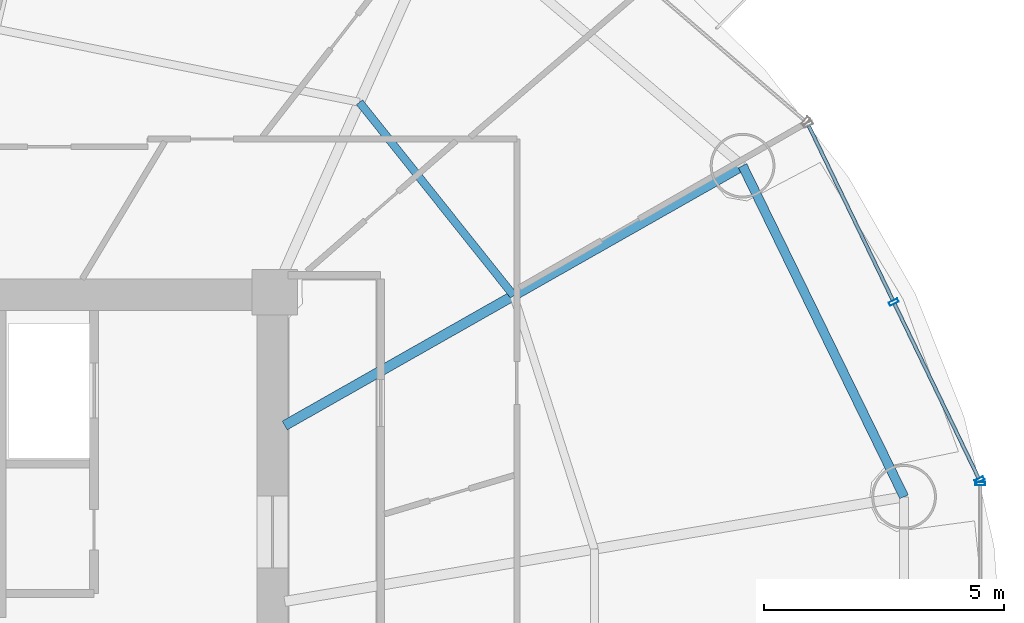
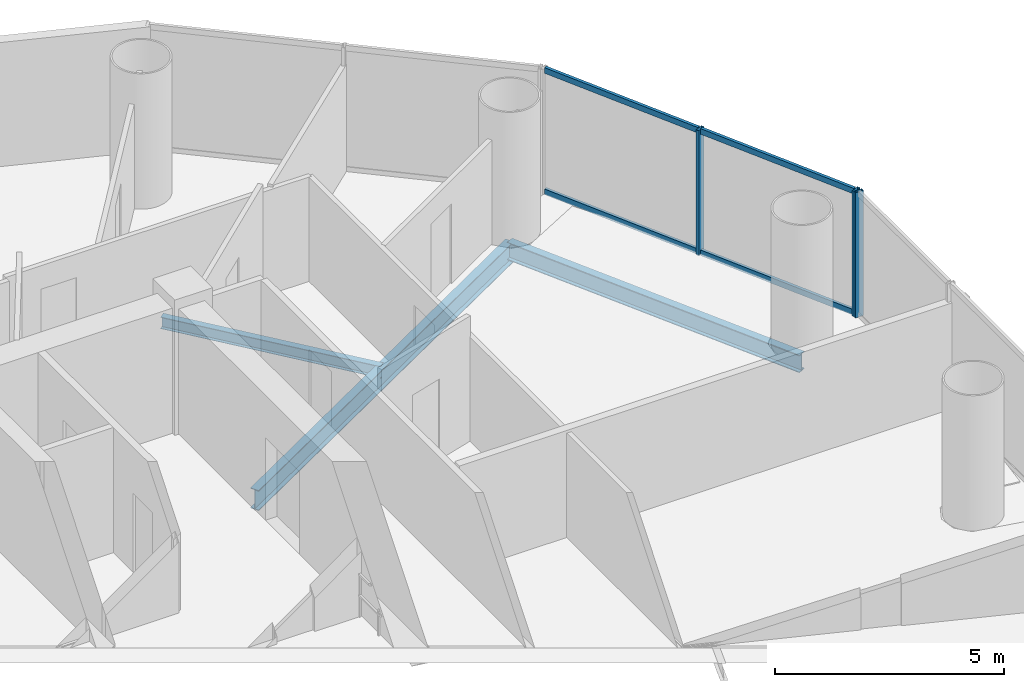
# One storey, part 13 of 27: 7 members, 3 beams, 2 elements without a shape of their own.
"""IFC4 building model written with IfcOpenShell, lengths in metres."""

import ifcopenshell
import ifcopenshell.guid

model = None  # the IFC model being written
_history = None  # IfcOwnerHistory: only IFC2X3 demands one
_inside = {}  # id of a spatial element -> (the spatial element, [elements in it])
_under = {}  # id of a project, library or spatial element -> (it, [spatial elements below it])
_declared = {}  # id of a project -> (the project, [libraries it declares])
_typed = {}  # id of a type object -> (the type object, [elements of that type])
_made_of = {}  # id of a material, layer set ... -> (it, [elements and type objects made of it])


def new_model(schema):
    """Start an empty IFC model of exactly this schema.

    Asked for "IFC4X3", IfcOpenShell would pick the latest addendum, in which some entities
    have other attributes; the version numbers below select the first issue.
    IFC2X3 requires an IfcOwnerHistory on every rooted entity: one is made here for all.
    """
    global model, _history
    if schema == "IFC4X3":
        model = ifcopenshell.file(schema_version=(4, 3, 0, 0))
    else:
        model = ifcopenshell.file(schema=schema)
    _inside.clear()
    _under.clear()
    _declared.clear()
    _typed.clear()
    _made_of.clear()
    _history = None
    if model.schema == "IFC2X3":
        org = make("IfcOrganization", Name="unknown")
        user = make(
            "IfcPersonAndOrganization",
            ThePerson=make("IfcPerson", FamilyName="unknown"),
            TheOrganization=org,
        )
        app = make(
            "IfcApplication",
            ApplicationDeveloper=org,
            Version="unknown",
            ApplicationFullName="unknown",
            ApplicationIdentifier="unknown",
        )
        _history = make(
            "IfcOwnerHistory",
            OwningUser=user,
            OwningApplication=app,
            ChangeAction="ADDED",
            CreationDate=0,
        )
    return model


def make(cls, **values):
    """One entity of the class cls with the attributes given. An attribute that is None is left unset."""
    return model.create_entity(
        cls, **{name: value for name, value in values.items() if value is not None}
    )


def rooted(cls, **values):
    """An entity with a GlobalId (a new one), such as an element, a storey or a relation."""
    return make(cls, GlobalId=ifcopenshell.guid.new(), OwnerHistory=_history, **values)


def si_unit(unit_type, name, prefix=None):
    """IfcSIUnit, for example si_unit("LENGTHUNIT", "METRE", prefix="MILLI")."""
    return make("IfcSIUnit", UnitType=unit_type, Prefix=prefix, Name=name)


def assignment(units):
    """IfcUnitAssignment: the units of a project."""
    return None if units is None else make("IfcUnitAssignment", Units=units)


def point(xyz):
    """IfcCartesianPoint."""
    return None if xyz is None else make("IfcCartesianPoint", Coordinates=xyz)


def direction(xyz):
    """IfcDirection."""
    return None if xyz is None else make("IfcDirection", DirectionRatios=xyz)


def frame(location, z_axis=None, x_axis=None):
    """IfcAxis2Placement3D, a coordinate frame: its origin and axes. An axis left out is left unset."""
    return make(
        "IfcAxis2Placement3D",
        Location=point(location),
        Axis=direction(z_axis),
        RefDirection=direction(x_axis),
    )


def frame_2d(location, x_axis=None):
    """IfcAxis2Placement2D, a coordinate frame in the plane: its origin and x axis."""
    return make(
        "IfcAxis2Placement2D", Location=point(location), RefDirection=direction(x_axis)
    )


def origin():
    """The frame at (0, 0, 0) with its axes left unset."""
    return frame((0.0, 0.0, 0.0))


def origin_2d():
    """The frame at (0, 0) in the plane with its x axis left unset."""
    return frame_2d((0.0, 0.0))


def place(relative_to, where):
    """IfcLocalPlacement: puts the frame where relative to a parent placement (None: the world)."""
    return make(
        "IfcLocalPlacement", PlacementRelTo=relative_to, RelativePlacement=where
    )


def context(
    kind, dimensions, precision=None, world=None, true_north=None, identifier=None
):
    """IfcGeometricRepresentationContext, for example the 3D "Model" context."""
    return make(
        "IfcGeometricRepresentationContext",
        ContextIdentifier=identifier,
        ContextType=kind,
        CoordinateSpaceDimension=dimensions,
        Precision=precision,
        WorldCoordinateSystem=world,
        TrueNorth=true_north,
    )


def subcontext(parent, identifier, kind, view, scale=None):
    """IfcGeometricRepresentationSubContext, for example "Body" below "Model"."""
    return make(
        "IfcGeometricRepresentationSubContext",
        ContextIdentifier=identifier,
        ContextType=kind,
        ParentContext=parent,
        TargetScale=scale,
        TargetView=view,
    )


def project(units=None, contexts=None):
    """IfcProject with its units and contexts."""
    return rooted(
        "IfcProject",
        Name="project",
        RepresentationContexts=contexts,
        UnitsInContext=assignment(units),
    )


def spatial(cls, under=None, at=None, **own):
    """A site, building, storey or space (cls), placed at a placement, below another one or the project."""
    s = rooted(cls, ObjectPlacement=at, **own)
    if under is not None:
        _under.setdefault(under.id(), (under, []))[1].append(s)
    return s


def profile(cls, at=None, kind="AREA", **sizes):
    """A parametric profile (cls). Its sizes go by their IFC names, for example OverallWidth=200.0."""
    return make(cls, ProfileType=kind, Position=at, **sizes)


def hollow_rectangle(**sizes):
    """IfcRectangleHollowProfileDef."""
    return profile("IfcRectangleHollowProfileDef", **sizes)


def i_section(**sizes):
    """IfcIShapeProfileDef."""
    return profile("IfcIShapeProfileDef", **sizes)


def extrude(swept, where, along, depth):
    """IfcExtrudedAreaSolid: the profile swept, set in the frame where, extruded along a direction by depth."""
    return make(
        "IfcExtrudedAreaSolid",
        SweptArea=swept,
        Position=where,
        ExtrudedDirection=direction(along),
        Depth=depth,
    )


def shape(context_of_items, identifier, shape_type, items):
    """IfcShapeRepresentation: the items that make up one representation, for example the "Body"."""
    return make(
        "IfcShapeRepresentation",
        ContextOfItems=context_of_items,
        RepresentationIdentifier=identifier,
        RepresentationType=shape_type,
        Items=items,
    )


def source(mapping_origin, context_of_items, identifier, shape_type, items):
    """IfcRepresentationMap: a shape defined once, which mapped items show again and again."""
    return make(
        "IfcRepresentationMap",
        MappingOrigin=mapping_origin,
        MappedRepresentation=shape(context_of_items, identifier, shape_type, items),
    )


def transform(
    local_origin,
    x_axis=None,
    y_axis=None,
    z_axis=None,
    scale=None,
    scale2=None,
    scale3=None,
    uniform=True,
):
    """IfcCartesianTransformationOperator3D, or its non-uniform kind. x_axis, y_axis, z_axis: its Axis1, 2, 3."""
    if uniform:
        return make(
            "IfcCartesianTransformationOperator3D",
            Axis1=direction(x_axis),
            Axis2=direction(y_axis),
            LocalOrigin=point(local_origin),
            Scale=scale,
            Axis3=direction(z_axis),
        )
    return make(
        "IfcCartesianTransformationOperator3DnonUniform",
        Axis1=direction(x_axis),
        Axis2=direction(y_axis),
        LocalOrigin=point(local_origin),
        Scale=scale,
        Axis3=direction(z_axis),
        Scale2=scale2,
        Scale3=scale3,
    )


def mapped(mapping_source, mapping_target):
    """IfcMappedItem: shows the shape of a source again, moved by a transform."""
    return make(
        "IfcMappedItem", MappingSource=mapping_source, MappingTarget=mapping_target
    )


def material(Name=None, Category=None):
    """IfcMaterial."""
    return make("IfcMaterial", Name=Name, Category=Category)


def material_profile(
    of_material, cross_section, Name=None, Category=None, Priority=None
):
    """IfcMaterialProfile: a cross section and its material."""
    return make(
        "IfcMaterialProfile",
        Name=Name,
        Material=of_material,
        Profile=cross_section,
        Priority=Priority,
        Category=Category,
    )


def profile_set(profiles, Name=None, composite=None):
    """IfcMaterialProfileSet."""
    return make(
        "IfcMaterialProfileSet",
        Name=Name,
        MaterialProfiles=profiles,
        CompositeProfile=composite,
    )


def made_of(thing, what):
    """Note that an element or type object is made of a material, layer set ...; save() writes the relation."""
    if what is not None:
        _made_of.setdefault(what.id(), (what, []))[1].append(thing)
    return thing


def type_object(cls, material=None, **own):
    """A type object (cls), such as IfcWallType, which elements share."""
    return made_of(rooted(cls, **own), material)


def element(
    cls,
    number,
    at=None,
    inside=None,
    cuts=None,
    type_object=None,
    material=None,
    context=None,
    identifier="Body",
    shape_type=None,
    held_by="IfcProductDefinitionShape",
    body=None,
    shapes=None,
    **own,
):
    """One element of the class cls, such as IfcWall. Its Tag is "e" and its number.

    at: its placement. inside: the storey or other place that contains it. cuts: it is an
    opening in that element (IfcRelVoidsElement). A single representation is given by context,
    identifier, shape_type and body (its items); several are given by shapes. held_by: the class
    of the entity that holds the representations. save() writes the other relations.
    """
    e = rooted(cls, Tag="e%d" % number, ObjectPlacement=at, **own)
    if body is not None:
        shapes = [shape(context, identifier, shape_type, body)]
    if shapes is not None:
        e.Representation = make(held_by, Representations=shapes)
    if inside is not None:
        _inside.setdefault(inside.id(), (inside, []))[1].append(e)
    if cuts is not None:
        rooted(
            "IfcRelVoidsElement", RelatingBuildingElement=cuts, RelatedOpeningElement=e
        )
    if type_object is not None:
        _typed.setdefault(type_object.id(), (type_object, []))[1].append(e)
    return made_of(e, material)


def aggregate(whole, parts):
    """IfcRelAggregates: a whole, such as a stair, and the parts it consists of."""
    return rooted("IfcRelAggregates", RelatingObject=whole, RelatedObjects=parts)


def save(model, path):
    """Write the relations noted so far, then the file.

    IfcRelAggregates (storeys below a building ...), IfcRelContainedInSpatialStructure (elements
    in a storey), IfcRelDefinesByType, IfcRelAssociatesMaterial and IfcRelDeclares: one each for
    every whole, place, type object, material and project.
    """
    for whole, parts in _under.values():
        aggregate(whole, parts)
    for where, things in _inside.values():
        rooted(
            "IfcRelContainedInSpatialStructure",
            RelatedElements=things,
            RelatingStructure=where,
        )
    for kind, things in _typed.values():
        rooted("IfcRelDefinesByType", RelatedObjects=things, RelatingType=kind)
    for what, things in _made_of.values():
        rooted("IfcRelAssociatesMaterial", RelatedObjects=things, RelatingMaterial=what)
    for by, libraries in _declared.values():
        rooted("IfcRelDeclares", RelatingContext=by, RelatedDefinitions=libraries)
    model.write(path)


model = new_model("IFC4")

# Units and contexts
model_context = context("Model", 3, precision=1e-05, world=origin(), true_north=direction((-0.2419218956, 0.970295726276)))
body_context = subcontext(model_context, "Body", "Model", "MODEL_VIEW")
ifc_project = project(units=[si_unit("LENGTHUNIT", "METRE"), si_unit("AREAUNIT", "SQUARE_METRE"), si_unit("VOLUMEUNIT", "CUBIC_METRE"), si_unit("PLANEANGLEUNIT", "RADIAN"), si_unit("MASSUNIT", "GRAM", prefix="KILO")], contexts=[model_context])

# Site, building, storey
site_placement = place(None, origin())
site = spatial("IfcSite", under=ifc_project, at=site_placement, CompositionType="ELEMENT")
building_placement = place(site_placement, origin())
building = spatial("IfcBuilding", under=site, at=building_placement, Name="Cobrevalo Terracotta Tower", CompositionType="ELEMENT")
storey_placement = place(building_placement, frame((0.0, 0.0, 164.199951171875)))
storey = spatial("IfcBuildingStorey", under=building, at=storey_placement, Name="L43", CompositionType="ELEMENT", Elevation=164.199951171875)

# Beams
ifc_material_1 = material(Name="Steel S355", Category="steel")
ifc_material_profile_1 = material_profile(ifc_material_1, i_section(OverallWidth=0.2109375, OverallDepth=0.5390625, WebThickness=0.01171875, FlangeThickness=0.018798828125, at=origin_2d()), Name="W 530x109")
ifc_profile_set_1 = profile_set([ifc_material_profile_1], Name="Steel S355")
beam_type_1 = type_object("IfcBeamType", Name="Structural Beam W 530x109 (Steel S355)", PredefinedType="BEAM", material=ifc_profile_set_1)
beam_1_placement = place(storey_placement, frame((56.749755859375, 37.439208984375, -0.53955078125), z_axis=(-0.869734177783, -0.493520475762, 0.0), x_axis=(0.493520475762, -0.869734177783, 0.0)))
element("IfcBeam", 1, at=beam_1_placement, inside=storey, type_object=beam_type_1, Name="L43 radial floor girder 02", PredefinedType="BEAM", context=body_context, shape_type="SweptSolid", body=[
    extrude(i_section(OverallWidth=0.2109375, OverallDepth=0.5390625, WebThickness=0.01171875, FlangeThickness=0.018798828125, at=origin_2d()), origin(), (0.0, 0.0, 1.0), 10.974365234375),
])
ifc_material_profile_2 = material_profile(ifc_material_1, i_section(OverallWidth=0.1650390625, OverallDepth=0.31005859375, WebThickness=0.005859375, FlangeThickness=0.009765625, at=origin_2d()), Name="W 310x38.7")
ifc_profile_set_2 = profile_set([ifc_material_profile_2], Name="Steel S355")
beam_type_2 = type_object("IfcBeamType", Name="Structural Joist W 310x38.7 (Steel S355)", PredefinedType="JOIST", material=ifc_profile_set_2)
beam_2_placement = place(storey_placement, frame((51.977294921875, 34.731201171875, -0.425048828125), z_axis=(-0.62340602772, 0.781898282773, 0.0), x_axis=(-0.781898282773, -0.62340602772, 0.0)))
element("IfcBeam", 2, at=beam_2_placement, inside=storey, type_object=beam_type_2, Name="L43 circumferential secondary floor joist 02", PredefinedType="JOIST", context=body_context, shape_type="SweptSolid", body=[
    extrude(i_section(OverallWidth=0.1650390625, OverallDepth=0.31005859375, WebThickness=0.005859375, FlangeThickness=0.009765625, at=origin_2d()), origin(), (0.0, 0.0, 1.0), 5.154052734375),
])
ifc_material_profile_3 = material_profile(ifc_material_1, i_section(OverallWidth=0.194091796875, OverallDepth=0.468994140625, WebThickness=0.011474609375, FlangeThickness=0.0205078125, at=origin_2d()), Name="W 460x106")
ifc_profile_set_3 = profile_set([ifc_material_profile_3], Name="Steel S355")
beam_type_3 = type_object("IfcBeamType", Name="Structural Spandrel W 460x106 (Steel S355)", PredefinedType="SPANDREL", material=ifc_profile_set_3)
beam_3_placement = place(storey_placement, frame((60.11669921875, 30.535888671875, -0.50439453125), z_axis=(-0.438367894028, 0.89879563277, 0.0), x_axis=(-0.89879563277, -0.438367894028, 0.0)))
element("IfcBeam", 3, at=beam_3_placement, inside=storey, type_object=beam_type_3, Name="L43 perimeter ring spandrel 01", PredefinedType="SPANDREL", context=body_context, shape_type="SweptSolid", body=[
    extrude(i_section(OverallWidth=0.194091796875, OverallDepth=0.468994140625, WebThickness=0.011474609375, FlangeThickness=0.0205078125, at=origin_2d()), origin(), (0.0, 0.0, 1.0), 7.6806640625),
])

# Curtain wall, members
ifc_material_2 = material(Name="Anodized aluminium", Category="aluminium")
curtain_wall_type = type_object("IfcCurtainWallType", Name="Mid-tower high-wind unitised curtain wall CW-U2", PredefinedType="NOTDEFINED", material=ifc_material_2)
curtain_wall_1_placement = place(storey_placement, origin())
curtain_wall_1 = element("IfcCurtainWall", 4, at=curtain_wall_1_placement, inside=storey, type_object=curtain_wall_type, Name="L43 curtain wall CW-L43-S01", PredefinedType="NOTDEFINED")
ifc_material_profile_4 = material_profile(ifc_material_2, hollow_rectangle(XDim=0.074951171875, YDim=0.199951171875, WallThickness=0.0048828125, at=origin_2d()), Name="CWM 75x200")
ifc_profile_set_4 = profile_set([ifc_material_profile_4], Name="Anodized aluminium")
member_type_1 = type_object("IfcMemberType", Name="Lower/mid tower unitised mullion 75x200", PredefinedType="MULLION", material=ifc_profile_set_4)
shared_shape_1 = source(origin(), body_context, "Body", "SweptSolid", [
    extrude(hollow_rectangle(XDim=0.074951171875, YDim=0.199951171875, WallThickness=0.0048828125, at=origin_2d()), origin(), (0.0, 0.0, 1.0), 3.330078125),
])
member_1_placement = place(storey_placement, frame((61.688232421875, 30.887939453125, 0.0), z_axis=(0.0, 0.0, 1.0), x_axis=(-0.434209440271, 0.900811945957, 0.0)))
member_1 = element("IfcMember", 5, at=member_1_placement, type_object=member_type_1, Name="CW-L43-S01 vertical mullion 01", PredefinedType="MULLION", context=body_context, shape_type="MappedRepresentation", body=[
    mapped(shared_shape_1, transform((0.0, 0.0, 0.0), scale=1.0)),
])
member_2_placement = place(storey_placement, frame((59.901123046875, 34.595703125, 0.0), z_axis=(0.0, 0.0, 1.0), x_axis=(-0.434209440271, 0.900811945957, 0.0)))
member_2 = element("IfcMember", 6, at=member_2_placement, type_object=member_type_1, Name="CW-L43-S01 vertical mullion 02", PredefinedType="MULLION", context=body_context, shape_type="MappedRepresentation", body=[
    mapped(shared_shape_1, transform((0.0, 0.0, 0.0), scale=1.0)),
])

# Curtain wall, member
curtain_wall_2_placement = place(storey_placement, origin())
curtain_wall_2 = element("IfcCurtainWall", 7, at=curtain_wall_2_placement, inside=storey, type_object=curtain_wall_type, Name="L43 curtain wall CW-L43-S16", PredefinedType="NOTDEFINED")
member_3_placement = place(storey_placement, frame((61.70556640625, 30.81201171875, 0.0), z_axis=(0.0, 0.0, 1.0), x_axis=(0.0, 1.0, 0.0)))
member_3 = element("IfcMember", 8, at=member_3_placement, type_object=member_type_1, Name="CW-L43-S16 vertical mullion 03", PredefinedType="MULLION", context=body_context, shape_type="MappedRepresentation", body=[
    mapped(shared_shape_1, transform((0.0, 0.0, 0.0), scale=1.0)),
])
aggregate(curtain_wall_2, [member_3])

# Member
ifc_material_profile_5 = material_profile(ifc_material_2, hollow_rectangle(XDim=0.074951171875, YDim=0.14990234375, WallThickness=0.00439453125, at=origin_2d()), Name="CWT 75x150")
ifc_profile_set_5 = profile_set([ifc_material_profile_5], Name="Anodized aluminium")
member_type_2 = type_object("IfcMemberType", Name="Tower unitised aluminium transom 75x150", PredefinedType="USERDEFINED", material=ifc_profile_set_5)
shared_shape_2 = source(origin(), body_context, "Body", "SweptSolid", [
    extrude(hollow_rectangle(XDim=0.074951171875, YDim=0.14990234375, WallThickness=0.00439453125, at=origin_2d()), origin(), (0.0, 0.0, 1.0), 4.035888671875),
])
member_4_placement = place(storey_placement, frame((61.6708984375, 30.924072265625, 0.050048828125), z_axis=(-0.434221176581, 0.900806288726, 0.0), x_axis=(-0.900806288726, -0.434221176581, 0.0)))
member_4 = element("IfcMember", 9, at=member_4_placement, type_object=member_type_2, Name="CW-L43-S01 transom B01-T1", ObjectType="TRANSOM", PredefinedType="USERDEFINED", context=body_context, shape_type="MappedRepresentation", body=[
    mapped(shared_shape_2, transform((0.0, 0.0, 0.0), scale=1.0)),
])

member_5_placement = place(storey_placement, frame((61.6708984375, 30.924072265625, 3.280029296875), z_axis=(-0.434221176581, 0.900806288726, 0.0), x_axis=(-0.900806288726, -0.434221176581, 0.0)))
member_5 = element("IfcMember", 10, at=member_5_placement, type_object=member_type_2, Name="CW-L43-S01 transom B01-T2", ObjectType="TRANSOM", PredefinedType="USERDEFINED", context=body_context, shape_type="MappedRepresentation", body=[
    mapped(shared_shape_2, transform((0.0, 0.0, 0.0), scale=1.0)),
])

member_6_placement = place(storey_placement, frame((59.8837890625, 34.631591796875, 0.050048828125), z_axis=(-0.434221176581, 0.900806288726, 0.0), x_axis=(-0.900806288726, -0.434221176581, 0.0)))
member_6 = element("IfcMember", 11, at=member_6_placement, type_object=member_type_2, Name="CW-L43-S01 transom B02-T1", ObjectType="TRANSOM", PredefinedType="USERDEFINED", context=body_context, shape_type="MappedRepresentation", body=[
    mapped(shared_shape_2, transform((0.0, 0.0, 0.0), scale=1.0)),
])

member_7_placement = place(storey_placement, frame((59.8837890625, 34.631591796875, 3.280029296875), z_axis=(-0.434221176581, 0.900806288726, 0.0), x_axis=(-0.900806288726, -0.434221176581, 0.0)))
member_7 = element("IfcMember", 12, at=member_7_placement, type_object=member_type_2, Name="CW-L43-S01 transom B02-T2", ObjectType="TRANSOM", PredefinedType="USERDEFINED", context=body_context, shape_type="MappedRepresentation", body=[
    mapped(shared_shape_2, transform((0.0, 0.0, 0.0), scale=1.0)),
])

aggregate(curtain_wall_1, [member_1, member_2, member_4, member_5, member_6, member_7])

save(model, "model.ifc")
